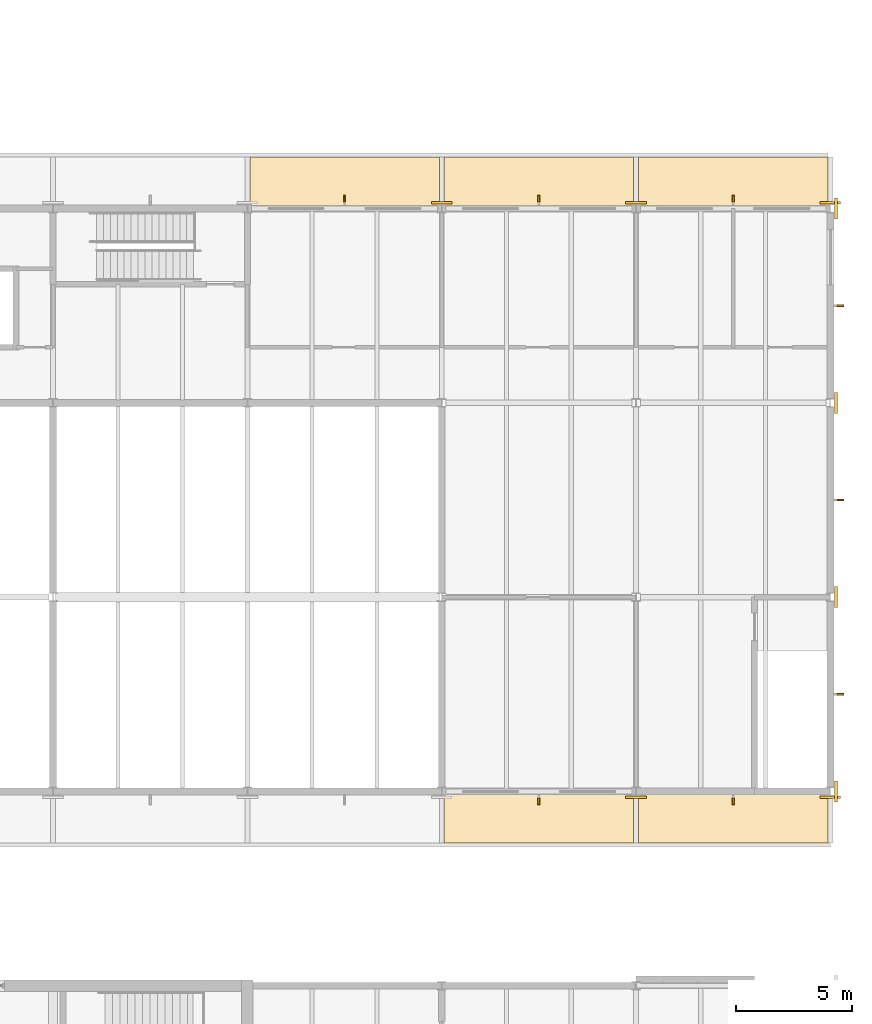
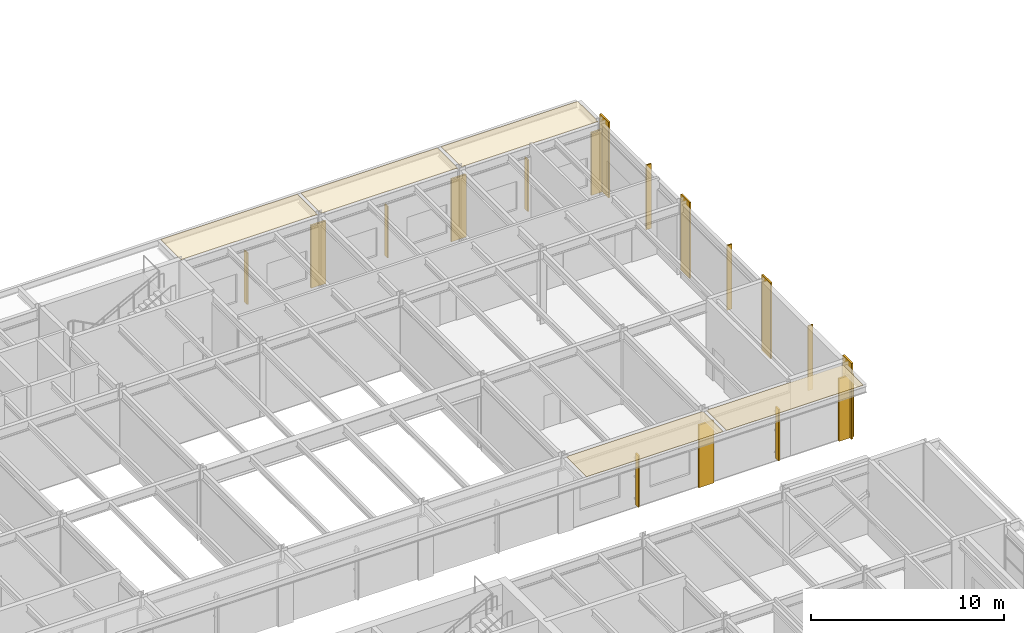
# One storey, part 115 of 116: 14 coverings, 8 shading devices.
"""IFC4 building model written with IfcOpenShell, lengths in metres."""

from ifc_helpers import new_model, si_unit, direction, frame, origin, origin_2d, place, context, subcontext, project, spatial, polyline, rectangle, outline, extrude, material, layer, layer_set, type_object, element, save


model = new_model("IFC4")

# Units and contexts
model_context = context("Model", 3, precision=1e-05, world=origin(), true_north=direction((0.0, 1.0)))
body_context = subcontext(model_context, "Body", "Model", "MODEL_VIEW")
ifc_project = project(units=[si_unit("LENGTHUNIT", "METRE"), si_unit("AREAUNIT", "SQUARE_METRE"), si_unit("VOLUMEUNIT", "CUBIC_METRE"), si_unit("PLANEANGLEUNIT", "RADIAN"), si_unit("MASSUNIT", "GRAM", prefix="KILO")], contexts=[model_context])

# Site, building, storey
site_placement = place(None, origin())
site = spatial("IfcSite", under=ifc_project, at=site_placement, CompositionType="ELEMENT")
building_placement = place(site_placement, origin())
building = spatial("IfcBuilding", under=site, at=building_placement, Name="Ljudholm Concert House", CompositionType="ELEMENT")
storey_placement = place(building_placement, frame((0.0, 0.0, 10.199951171875)))
storey = spatial("IfcBuildingStorey", under=building, at=storey_placement, Name="L02", CompositionType="ELEMENT", Elevation=10.199951171875)

# Coverings
ifc_material_1 = material(Name="Aluminium extrusion with timber-grain PVDF finish", Category="aluminium")
ifc_layer_1 = layer(ifc_material_1, 0.030029296875)
ifc_layer_set_1 = layer_set([ifc_layer_1], Name="Aluminium extrusion with timber-grain PVDF finish")
covering_type_1 = type_object("IfcCoveringType", Name="ALUMINIUM EXTRUSION WITH TIMBER-GRAIN PVDF FINISH CEILING 30", PredefinedType="CEILING", material=ifc_layer_set_1)
covering_1_placement = place(storey_placement, frame((0.0, 0.0, 4.590087890625)))
element("IfcCovering", 1, at=covering_1_placement, inside=storey, type_object=covering_type_1, Name="Eave soffit", PredefinedType="CEILING", context=body_context, shape_type="SweptSolid", body=[
    extrude(outline(polyline([(104.904541015625, 102.577880859375), (113.095458984375, 102.577880859375), (113.095458984375, 104.685546875), (104.904541015625, 104.685546875), (104.904541015625, 102.577880859375)])), origin(), (0.0, 0.0, 1.0), 0.030029296875),
])
covering_2_placement = place(storey_placement, frame((0.0, 0.0, 4.590087890625)))
element("IfcCovering", 2, at=covering_2_placement, inside=storey, type_object=covering_type_1, Name="Eave soffit", PredefinedType="CEILING", context=body_context, shape_type="SweptSolid", body=[
    extrude(outline(polyline([(113.3046875, 102.577880859375), (121.495361328125, 102.577880859375), (121.495361328125, 104.685546875), (113.3046875, 104.685546875), (113.3046875, 102.577880859375)])), origin(), (0.0, 0.0, 1.0), 0.030029296875),
])
covering_3_placement = place(storey_placement, frame((0.0, 0.0, 4.590087890625)))
element("IfcCovering", 3, at=covering_3_placement, inside=storey, type_object=covering_type_1, Name="Eave soffit", PredefinedType="CEILING", context=body_context, shape_type="SweptSolid", body=[
    extrude(outline(polyline([(96.504638671875, 130.114501953125), (104.6953125, 130.114501953125), (104.6953125, 132.22216796875), (96.504638671875, 132.22216796875), (96.504638671875, 130.114501953125)])), origin(), (0.0, 0.0, 1.0), 0.030029296875),
])
covering_4_placement = place(storey_placement, frame((0.0, 0.0, 4.590087890625)))
element("IfcCovering", 4, at=covering_4_placement, inside=storey, type_object=covering_type_1, Name="Eave soffit", PredefinedType="CEILING", context=body_context, shape_type="SweptSolid", body=[
    extrude(outline(polyline([(104.904541015625, 130.114501953125), (113.095458984375, 130.114501953125), (113.095458984375, 132.22216796875), (104.904541015625, 132.22216796875), (104.904541015625, 130.114501953125)])), origin(), (0.0, 0.0, 1.0), 0.030029296875),
])
covering_5_placement = place(storey_placement, frame((0.0, 0.0, 4.590087890625)))
element("IfcCovering", 5, at=covering_5_placement, inside=storey, type_object=covering_type_1, Name="Eave soffit", PredefinedType="CEILING", context=body_context, shape_type="SweptSolid", body=[
    extrude(outline(polyline([(113.3046875, 130.114501953125), (121.495361328125, 130.114501953125), (121.495361328125, 132.22216796875), (113.3046875, 132.22216796875), (113.3046875, 130.114501953125)])), origin(), (0.0, 0.0, 1.0), 0.030029296875),
])

# Shading devices
ifc_material_2 = material(Name="Aluminium extrusion with timber-grain PVDF finish", Category="aluminium")
shading_device_type = type_object("IfcShadingDeviceType", Name="FACADE FIN 300x80", PredefinedType="SHUTTER", material=ifc_material_2)
for number, where, z_axis, x_axis, name in (
    (6, (122.02001953125, 109.0, 0.25), (0.0, 0.0, 1.0), (1.0, 0.0, 0.0), "Facade fin"),
    (7, (122.02001953125, 117.39990234375, 0.25), (0.0, 0.0, 1.0), (1.0, 0.0, 0.0), "Facade fin"),
    (8, (122.02001953125, 125.800048828125, 0.25), (0.0, 0.0, 1.0), (1.0, 0.0, 0.0), "Facade fin"),
):
    element("IfcShadingDevice", number, at=place(storey_placement, frame(where, z_axis=z_axis, x_axis=x_axis)), inside=storey, type_object=shading_device_type, Name=name, PredefinedType="SHUTTER", context=body_context, shape_type="SweptSolid", body=[
        extrude(rectangle(XDim=0.300048828125, YDim=0.080078125, at=origin_2d()), origin(), (0.0, 0.0, 1.0), 4.10009765625),
    ])
for number, where, z_axis, x_axis, name in (
    (9, (100.60009765625, 130.419921875, 0.25), (0.0, 0.0, 1.0), (0.0, 1.0, 0.0), "Facade fin"),
    (10, (109.0, 130.419921875, 0.25), (0.0, 0.0, 1.0), (0.0, 1.0, 0.0), "Facade fin"),
    (11, (117.39990234375, 130.419921875, 0.25), (0.0, 0.0, 1.0), (0.0, 1.0, 0.0), "Facade fin"),
    (12, (109.0, 104.3798828125, 0.25), (0.0, 0.0, 1.0), (0.0, -1.0, 0.0), "Facade fin"),
    (13, (117.39990234375, 104.3798828125, 0.25), (0.0, 0.0, 1.0), (0.0, -1.0, 0.0), "Facade fin"),
):
    element("IfcShadingDevice", number, at=place(storey_placement, frame(where, z_axis=z_axis, x_axis=x_axis)), inside=storey, type_object=shading_device_type, Name=name, PredefinedType="SHUTTER", context=body_context, shape_type="SweptSolid", body=[
        extrude(rectangle(XDim=0.300048828125, YDim=0.080078125, at=origin_2d()), origin(), (0.0, 0.0, 1.0), 3.27001953125),
    ])

# Coverings
ifc_material_3 = material(Name="Precast concrete, limestone aggregate", Category="masonry")
ifc_layer_2 = layer(ifc_material_3, 0.110107421875)
ifc_layer_set_2 = layer_set([ifc_layer_2], Name="Precast concrete, limestone aggregate")
covering_type_2 = type_object("IfcCoveringType", Name="PRECAST CONCRETE, LIMESTONE AGGREGATE CLADDING 110", PredefinedType="CLADDING", material=ifc_layer_set_2)
for number, where, z_axis, x_axis, name in (
    (14, (121.844970703125, 104.800048828125, 0.0), (0.0, 0.0, 1.0), (1.0, 0.0, 0.0), "Pilaster cladding"),
    (15, (121.844970703125, 113.199951171875, 0.0), (0.0, 0.0, 1.0), (1.0, 0.0, 0.0), "Pilaster cladding"),
    (16, (121.844970703125, 121.60009765625, 0.0), (0.0, 0.0, 1.0), (1.0, 0.0, 0.0), "Pilaster cladding"),
    (17, (121.844970703125, 130.0, 0.0), (0.0, 0.0, 1.0), (1.0, 0.0, 0.0), "Pilaster cladding"),
):
    element("IfcCovering", number, at=place(storey_placement, frame(where, z_axis=z_axis, x_axis=x_axis)), inside=storey, type_object=covering_type_2, Name=name, PredefinedType="CLADDING", context=body_context, shape_type="SweptSolid", body=[
        extrude(rectangle(XDim=0.110107421875, YDim=0.89990234375, at=origin_2d()), origin(), (0.0, 0.0, 1.0), 4.800048828125),
    ])
for number, where, z_axis, x_axis, name in (
    (18, (104.800048828125, 130.2451171875, 0.0), (0.0, 0.0, 1.0), (0.0, 1.0, 0.0), "Pilaster cladding"),
    (19, (113.199951171875, 130.2451171875, 0.0), (0.0, 0.0, 1.0), (0.0, 1.0, 0.0), "Pilaster cladding"),
    (20, (121.60009765625, 130.2451171875, 0.0), (0.0, 0.0, 1.0), (0.0, 1.0, 0.0), "Pilaster cladding"),
    (21, (113.199951171875, 104.554931640625, 0.0), (0.0, 0.0, 1.0), (0.0, -1.0, 0.0), "Pilaster cladding"),
    (22, (121.60009765625, 104.554931640625, 0.0), (0.0, 0.0, 1.0), (0.0, -1.0, 0.0), "Pilaster cladding"),
):
    element("IfcCovering", number, at=place(storey_placement, frame(where, z_axis=z_axis, x_axis=x_axis)), inside=storey, type_object=covering_type_2, Name=name, PredefinedType="CLADDING", context=body_context, shape_type="SweptSolid", body=[
        extrude(rectangle(XDim=0.110107421875, YDim=0.89990234375, at=origin_2d()), origin(), (0.0, 0.0, 1.0), 3.969970703125),
    ])

save(model, "model.ifc")
